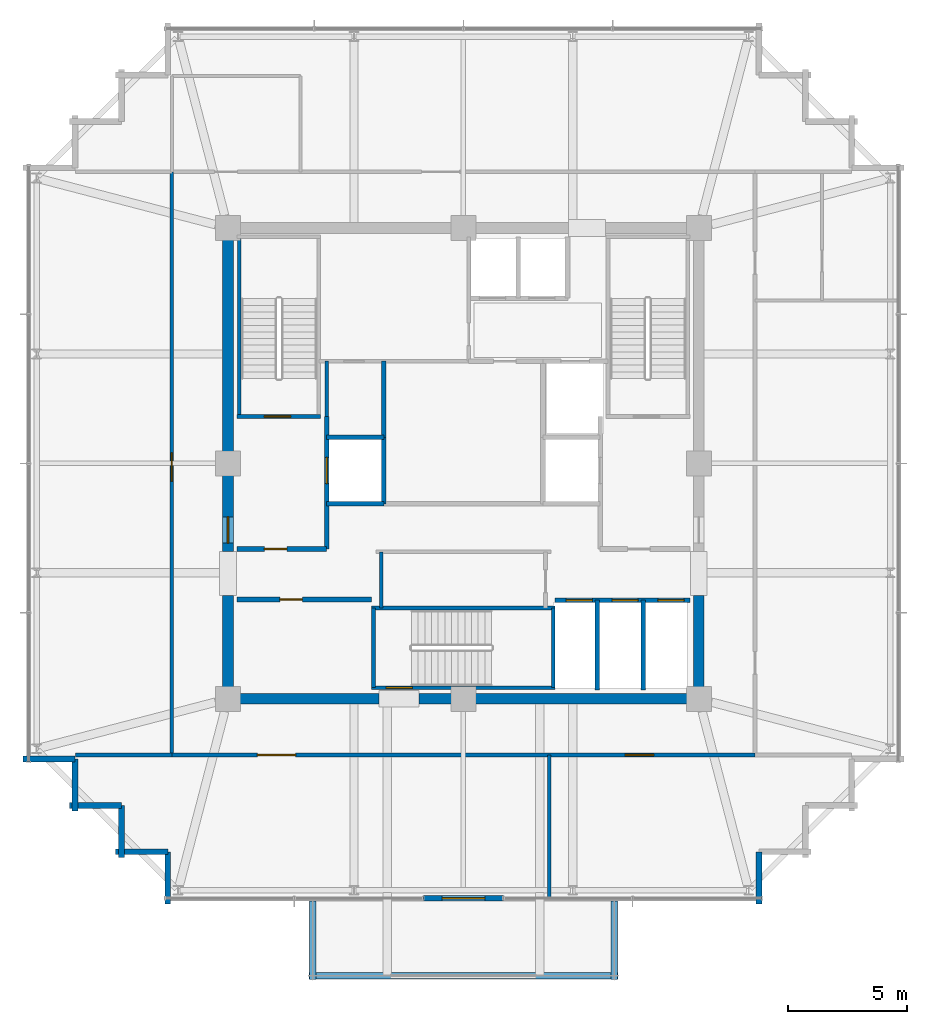
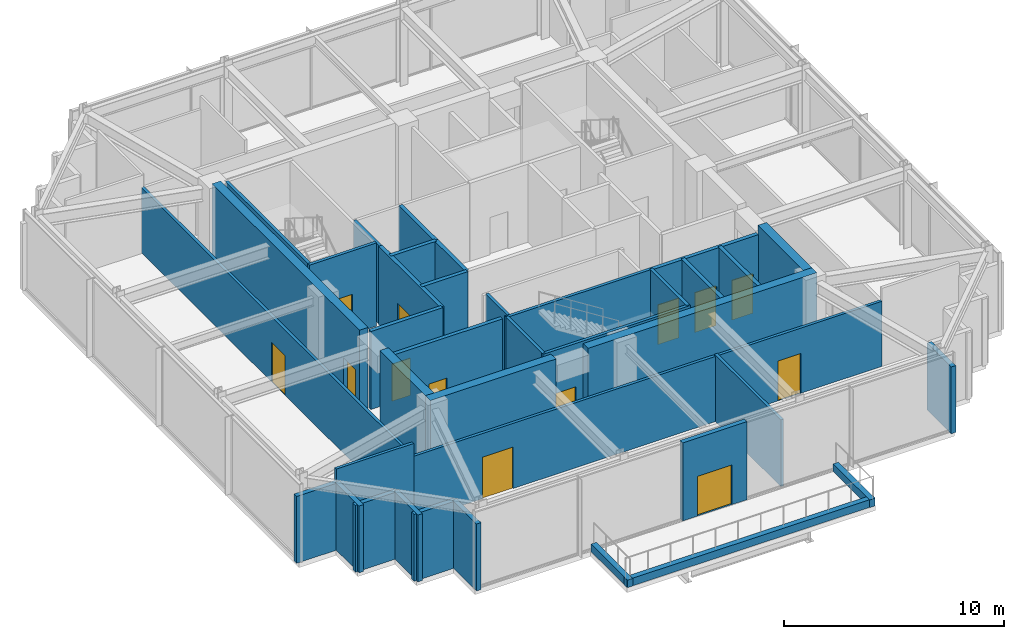
# One storey, part 27 of 30: 38 walls, 13 doors, 13 openings.
"""IFC4 building model written with IfcOpenShell, lengths in metres."""

from ifc_helpers import new_model, si_unit, direction, frame, frame_2d, origin, place, context, subcontext, project, spatial, rectangle, extrude, material, layer, layer_set, type_object, element, fill, save


model = new_model("IFC4")

# Units and contexts
model_context = context("Model", 3, precision=1e-05, world=origin(), true_north=direction((0.0, 1.0)))
body_context = subcontext(model_context, "Body", "Model", "MODEL_VIEW")
ifc_project = project(units=[si_unit("LENGTHUNIT", "METRE"), si_unit("AREAUNIT", "SQUARE_METRE"), si_unit("VOLUMEUNIT", "CUBIC_METRE"), si_unit("PLANEANGLEUNIT", "RADIAN"), si_unit("MASSUNIT", "GRAM", prefix="KILO")], contexts=[model_context])

# Site, building, storey
site_placement = place(None, origin())
site = spatial("IfcSite", under=ifc_project, at=site_placement, CompositionType="ELEMENT")
building_placement = place(site_placement, origin())
building = spatial("IfcBuilding", under=site, at=building_placement, Name="Kolvaren Belvedere", CompositionType="ELEMENT")
storey_placement = place(building_placement, frame((0.0, 0.0, 262.800048828125)))
storey = spatial("IfcBuildingStorey", under=building, at=storey_placement, Name="L76", CompositionType="ELEMENT", Elevation=262.800048828125)

# Walls
ifc_material_1 = material(Name="Concrete C50/60", Category="concrete")
ifc_layer_1 = layer(ifc_material_1, 0.449951171875)
ifc_layer_set_1 = layer_set([ifc_layer_1], Name="Concrete C50/60")
wall_type_1 = type_object("IfcWallType", Name="CW-CORE-450", PredefinedType="SHEAR", material=ifc_layer_set_1)
wall_1_placement = place(storey_placement, frame((10.125, -9.89990234375, 0.0), z_axis=(0.0, 0.0, 1.0), x_axis=(-1.0, 0.0, 0.0)))
element("IfcWall", 1, at=wall_1_placement, inside=storey, type_object=wall_type_1, Name="L76 South Core Shear Wall 1", PredefinedType="SHEAR", context=body_context, shape_type="SweptSolid", body=[
    extrude(rectangle(XDim=11.985107421875, YDim=0.449951171875, at=frame_2d((5.99267578125, 0.0))), origin(), (0.0, 0.0, 1.0), 4.599853515625),
])
wall_2_placement = place(storey_placement, frame((-3.5400390625, -9.89990234375, 0.0), z_axis=(0.0, 0.0, 1.0), x_axis=(-1.0, 0.0, 0.0)))
element("IfcWall", 2, at=wall_2_placement, inside=storey, type_object=wall_type_1, Name="L76 South Core Shear Wall 2", PredefinedType="SHEAR", context=body_context, shape_type="SweptSolid", body=[
    extrude(rectangle(XDim=6.5849609375, YDim=0.449951171875, at=frame_2d((3.29248046875, 0.0))), origin(), (0.0, 0.0, 1.0), 4.599853515625),
])
for number, where, z_axis, x_axis, name in (
    (3, (-9.89990234375, -9.675048828125, 0.0), (0.0, 0.0, 1.0), (0.0, 1.0, 0.0), "L76 West Core Shear Wall 1"),
    (4, (9.89990234375, -9.675048828125, 0.0), (0.0, 0.0, 1.0), (0.0, 1.0, 0.0), "L76 East Core Shear Wall 1"),
):
    element("IfcWall", number, at=place(storey_placement, frame(where, z_axis=z_axis, x_axis=x_axis)), inside=storey, type_object=wall_type_1, Name=name, PredefinedType="SHEAR", context=body_context, shape_type="SweptSolid", body=[
        extrude(rectangle(XDim=4.125, YDim=0.449951171875, at=frame_2d((2.0625, 0.0))), origin(), (0.0, 0.0, 1.0), 4.599853515625),
    ])

# Wall, opening, door
wall_3_placement = place(storey_placement, frame((-9.89990234375, -3.699951171875, 0.0), z_axis=(0.0, 0.0, 1.0), x_axis=(0.0, 1.0, 0.0)))
wall_3 = element("IfcWall", 5, at=wall_3_placement, inside=storey, type_object=wall_type_1, Name="L76 West Core Shear Wall 2", PredefinedType="SHEAR", context=body_context, shape_type="SweptSolid", body=[
    extrude(rectangle(XDim=13.375, YDim=0.449951171875, at=frame_2d((6.6875, 0.0))), origin(), (0.0, 0.0, 1.0), 4.599853515625),
])
opening_1_placement = place(wall_3_placement, frame((0.35009765625, 0.0, 0.0)))
opening_1 = element("IfcOpeningElement", 6, at=opening_1_placement, cuts=wall_3, Name="Opening D-FD90", PredefinedType="OPENING", context=body_context, shape_type="SweptSolid", body=[
    extrude(rectangle(XDim=1.10009765625, YDim=2.199951171875, at=frame_2d((0.550048828125, 1.10009765625))), frame((0.0, 0.23486328125, 0.0), z_axis=(0.0, -1.0, 0.0), x_axis=(1.0, 0.0, 0.0)), (0.0, 0.0, 1.0), 0.469970703125),
])
ifc_material_2 = material(Name="Painted hollow stainless steel", Category="steel")
door_type_1 = type_object("IfcDoorType", Name="DR-FD90-1100", OperationType="NOTDEFINED", PredefinedType="DOOR", material=ifc_material_2)
door_1_placement = place(opening_1_placement, origin())
door_1 = element("IfcDoor", 7, at=door_1_placement, inside=storey, type_object=door_type_1, Name="L76 West Firefighting Lobby Fire Door", OperationType="SINGLE_SWING_LEFT", OverallHeight=2.199951171875, OverallWidth=1.10009765625, PredefinedType="DOOR", context=body_context, shape_type="SweptSolid", body=[
    extrude(rectangle(XDim=1.10009765625, YDim=2.199951171875, at=frame_2d((0.550048828125, 1.10009765625))), frame((0.0, 0.02490234375, 0.0), z_axis=(0.0, -1.0, 0.0), x_axis=(1.0, 0.0, 0.0)), (0.0, 0.0, 1.0), 0.050048828125),
])
fill(opening_1, door_1)

ifc_material_3 = material(Name="Concrete C50/60", Category="concrete")
ifc_layer_2 = layer(ifc_material_3, 0.159912109375)
ifc_layer_set_2 = layer_set([ifc_layer_2], Name="Concrete C50/60")
wall_type_2 = type_object("IfcWallType", Name="CW-STAIR-160", PredefinedType="SHEAR", material=ifc_layer_set_2)
wall_4_placement = place(storey_placement, frame((-9.52001953125, 1.969970703125, 0.0), z_axis=(0.0, 0.0, 1.0), x_axis=(1.0, 0.0, 0.0)))
wall_4 = element("IfcWall", 8, at=wall_4_placement, inside=storey, type_object=wall_type_2, Name="L76 Stair ST-1 South Shear Wall", PredefinedType="SHEAR", context=body_context, shape_type="SweptSolid", body=[
    extrude(rectangle(XDim=3.52001953125, YDim=0.159912109375, at=frame_2d((1.760009765625, 0.0))), origin(), (0.0, 0.0, 1.0), 4.599853515625),
])
opening_2_placement = place(wall_4_placement, frame((1.14990234375, 0.0, 0.0)))
opening_2 = element("IfcOpeningElement", 9, at=opening_2_placement, cuts=wall_4, Name="Opening D-FD90", PredefinedType="OPENING", context=body_context, shape_type="SweptSolid", body=[
    extrude(rectangle(XDim=1.10009765625, YDim=2.199951171875, at=frame_2d((0.550048828125, 1.10009765625))), frame((0.0, 0.08984375, 0.0), z_axis=(0.0, -1.0, 0.0), x_axis=(1.0, 0.0, 0.0)), (0.0, 0.0, 1.0), 0.179931640625),
])
door_2_placement = place(opening_2_placement, origin())
door_2 = element("IfcDoor", 10, at=door_2_placement, inside=storey, type_object=door_type_1, Name="L76 Stair ST-1 Fire Door", OperationType="SINGLE_SWING_LEFT", OverallHeight=2.199951171875, OverallWidth=1.10009765625, PredefinedType="DOOR", context=body_context, shape_type="SweptSolid", body=[
    extrude(rectangle(XDim=1.10009765625, YDim=2.199951171875, at=frame_2d((0.550048828125, 1.10009765625))), frame((0.0, 0.02490234375, 0.0), z_axis=(0.0, -1.0, 0.0), x_axis=(1.0, 0.0, 0.0)), (0.0, 0.0, 1.0), 0.050048828125),
])
fill(opening_2, door_2)

# Wall
wall_5_placement = place(storey_placement, frame((-9.429931640625, 1.969970703125, 0.0), z_axis=(0.0, 0.0, 1.0), x_axis=(0.0, 1.0, 0.0)))
element("IfcWall", 11, at=wall_5_placement, inside=storey, type_object=wall_type_2, Name="L76 Stair ST-1 West Shear Wall", PredefinedType="SHEAR", context=body_context, shape_type="SweptSolid", body=[
    extrude(rectangle(XDim=7.56005859375, YDim=0.159912109375, at=frame_2d((3.780029296875, 0.0))), origin(), (0.0, 0.0, 1.0), 4.599853515625),
])

# Wall, opening, door
wall_6_placement = place(storey_placement, frame((3.860107421875, -9.429931640625, 0.0), z_axis=(0.0, 0.0, 1.0), x_axis=(-1.0, 0.0, 0.0)))
wall_6 = element("IfcWall", 12, at=wall_6_placement, inside=storey, type_object=wall_type_2, Name="L76 Stair ST-3 South Shear Wall", PredefinedType="SHEAR", context=body_context, shape_type="SweptSolid", body=[
    extrude(rectangle(XDim=7.72021484375, YDim=0.159912109375, at=frame_2d((3.860107421875, 0.0))), origin(), (0.0, 0.0, 1.0), 4.599853515625),
])
opening_3_placement = place(wall_6_placement, frame((6.010009765625, 0.0, 0.0)))
opening_3 = element("IfcOpeningElement", 13, at=opening_3_placement, cuts=wall_6, Name="Opening D-FD90", PredefinedType="OPENING", context=body_context, shape_type="SweptSolid", body=[
    extrude(rectangle(XDim=1.10009765625, YDim=2.199951171875, at=frame_2d((0.550048828125, 1.10009765625))), frame((0.0, 0.08984375, 0.0), z_axis=(0.0, -1.0, 0.0), x_axis=(1.0, 0.0, 0.0)), (0.0, 0.0, 1.0), 0.179931640625),
])
door_3_placement = place(opening_3_placement, origin())
door_3 = element("IfcDoor", 14, at=door_3_placement, inside=storey, type_object=door_type_1, Name="L76 Stair ST-3 Exit Door", OperationType="SINGLE_SWING_RIGHT", OverallHeight=2.199951171875, OverallWidth=1.10009765625, PredefinedType="DOOR", context=body_context, shape_type="SweptSolid", body=[
    extrude(rectangle(XDim=1.10009765625, YDim=2.199951171875, at=frame_2d((0.550048828125, 1.10009765625))), frame((0.0, 0.02490234375, 0.0), z_axis=(0.0, -1.0, 0.0), x_axis=(1.0, 0.0, 0.0)), (0.0, 0.0, 1.0), 0.050048828125),
])
fill(opening_3, door_3)

# Walls
wall_7_placement = place(storey_placement, frame((-3.860107421875, -6.080078125, 0.0), z_axis=(0.0, 0.0, 1.0), x_axis=(1.0, 0.0, 0.0)))
element("IfcWall", 15, at=wall_7_placement, inside=storey, type_object=wall_type_2, Name="L76 Stair ST-3 North Shear Wall", PredefinedType="SHEAR", context=body_context, shape_type="SweptSolid", body=[
    extrude(rectangle(XDim=7.72021484375, YDim=0.159912109375, at=frame_2d((3.860107421875, 0.0))), origin(), (0.0, 0.0, 1.0), 4.599853515625),
])
for number, where, z_axis, x_axis, name in (
    (16, (-3.780029296875, -9.429931640625, 0.0), (0.0, 0.0, 1.0), (0.0, 1.0, 0.0), "L76 Stair ST-3 West Shear Wall"),
    (17, (3.780029296875, -9.429931640625, 0.0), (0.0, 0.0, 1.0), (0.0, 1.0, 0.0), "L76 Stair ST-3 East Shear Wall"),
):
    element("IfcWall", number, at=place(storey_placement, frame(where, z_axis=z_axis, x_axis=x_axis)), inside=storey, type_object=wall_type_2, Name=name, PredefinedType="SHEAR", context=body_context, shape_type="SweptSolid", body=[
        extrude(rectangle(XDim=3.349853515625, YDim=0.159912109375, at=frame_2d((1.6748046875, 0.0))), origin(), (0.0, 0.0, 1.0), 4.599853515625),
    ])

# Wall, openings, doors
ifc_material_4 = material(Name="Gypsum fire-rated partition assembly", Category="gypsum")
ifc_layer_3 = layer(ifc_material_4, 0.14990234375)
ifc_layer_set_3 = layer_set([ifc_layer_3], Name="Gypsum fire-rated partition assembly")
wall_type_3 = type_object("IfcWallType", Name="WL-CORR-150", PredefinedType="PARTITIONING", material=ifc_layer_set_3)
wall_8_placement = place(storey_placement, frame((-12.260009765625, -12.260009765625, 0.0), z_axis=(0.0, 0.0, 1.0), x_axis=(1.0, 0.0, 0.0)))
wall_8 = element("IfcWall", 18, at=wall_8_placement, inside=storey, type_object=wall_type_3, Name="L76 South Corridor Wall", PredefinedType="PARTITIONING", context=body_context, shape_type="SweptSolid", body=[
    extrude(rectangle(XDim=24.52001953125, YDim=0.14990234375, at=frame_2d((12.260009765625, 0.0))), origin(), (0.0, 0.0, 1.0), 3.60888671875),
])
opening_4_placement = place(wall_8_placement, frame((3.60009765625, 0.0, 0.0)))
opening_4 = element("IfcOpeningElement", 19, at=opening_4_placement, cuts=wall_8, Name="Opening D-GL16", PredefinedType="OPENING", context=body_context, shape_type="SweptSolid", body=[
    extrude(rectangle(XDim=1.60009765625, YDim=2.300048828125, at=frame_2d((0.800048828125, 1.14990234375))), frame((0.0, 0.0849609375, 0.0), z_axis=(0.0, -1.0, 0.0), x_axis=(1.0, 0.0, 0.0)), (0.0, 0.0, 1.0), 0.169921875),
])
opening_5_placement = place(wall_8_placement, frame((19.06005859375, 0.0, 0.0)))
opening_5 = element("IfcOpeningElement", 20, at=opening_5_placement, cuts=wall_8, Name="Opening D-GL12", PredefinedType="OPENING", context=body_context, shape_type="SweptSolid", body=[
    extrude(rectangle(XDim=1.199951171875, YDim=2.199951171875, at=frame_2d((0.60009765625, 1.10009765625))), frame((0.0, 0.0849609375, 0.0), z_axis=(0.0, -1.0, 0.0), x_axis=(1.0, 0.0, 0.0)), (0.0, 0.0, 1.0), 0.169921875),
])
ifc_material_5 = material(Name="Anodised pale-metal aluminium & safety glass", Category="aluminium")
door_type_2 = type_object("IfcDoorType", Name="DR-GLAZ-1200", OperationType="DOUBLE_DOOR_SINGLE_SWING", PredefinedType="DOOR", material=ifc_material_5)
door_4_placement = place(opening_5_placement, origin())
door_4 = element("IfcDoor", 21, at=door_4_placement, inside=storey, type_object=door_type_2, Name="L76 Chef's Exhibition Finishing Kitchen Door", OperationType="DOUBLE_DOOR_SINGLE_SWING", OverallHeight=2.199951171875, OverallWidth=1.199951171875, PredefinedType="DOOR", context=body_context, shape_type="SweptSolid", body=[
    extrude(rectangle(XDim=1.199951171875, YDim=2.199951171875, at=frame_2d((0.60009765625, 1.10009765625))), frame((0.0, 0.02490234375, 0.0), z_axis=(0.0, -1.0, 0.0), x_axis=(1.0, 0.0, 0.0)), (0.0, 0.0, 1.0), 0.050048828125),
])
fill(opening_5, door_4)
ifc_material_6 = material(Name="Anodised pale-metal aluminium & safety glass", Category="aluminium")
door_type_3 = type_object("IfcDoorType", Name="DR-GLAZ-1600", OperationType="DOUBLE_DOOR_SINGLE_SWING", PredefinedType="DOOR", material=ifc_material_6)
door_5_placement = place(opening_4_placement, origin())
door_5 = element("IfcDoor", 22, at=door_5_placement, inside=storey, type_object=door_type_3, Name="L76 360-Degree Signature Sky Restaurant Door", OperationType="DOUBLE_DOOR_SINGLE_SWING", OverallHeight=2.300048828125, OverallWidth=1.60009765625, PredefinedType="DOOR", context=body_context, shape_type="SweptSolid", body=[
    extrude(rectangle(XDim=1.60009765625, YDim=2.300048828125, at=frame_2d((0.800048828125, 1.14990234375))), frame((0.0, 0.02490234375, 0.0), z_axis=(0.0, -1.0, 0.0), x_axis=(1.0, 0.0, 0.0)), (0.0, 0.0, 1.0), 0.050048828125),
])
fill(opening_4, door_5)

# Wall, opening, door
wall_9_placement = place(storey_placement, frame((-12.260009765625, -12.260009765625, 0.0), z_axis=(0.0, 0.0, 1.0), x_axis=(0.0, 1.0, 0.0)))
wall_9 = element("IfcWall", 23, at=wall_9_placement, inside=storey, type_object=wall_type_3, Name="L76 West Corridor Wall", PredefinedType="PARTITIONING", context=body_context, shape_type="SweptSolid", body=[
    extrude(rectangle(XDim=24.52001953125, YDim=0.14990234375, at=frame_2d((12.260009765625, 0.0))), origin(), (0.0, 0.0, 1.0), 3.60888671875),
])
opening_6_placement = place(wall_9_placement, frame((11.5, 0.0, 0.0)))
opening_6 = element("IfcOpeningElement", 24, at=opening_6_placement, cuts=wall_9, Name="Opening D-GL12", PredefinedType="OPENING", context=body_context, shape_type="SweptSolid", body=[
    extrude(rectangle(XDim=1.199951171875, YDim=2.199951171875, at=frame_2d((0.60009765625, 1.10009765625))), frame((0.0, 0.0849609375, 0.0), z_axis=(0.0, -1.0, 0.0), x_axis=(1.0, 0.0, 0.0)), (0.0, 0.0, 1.0), 0.169921875),
])
door_6_placement = place(opening_6_placement, origin())
door_6 = element("IfcDoor", 25, at=door_6_placement, inside=storey, type_object=door_type_2, Name="L76 Private Panorama Dining Room Door", OperationType="DOUBLE_DOOR_SINGLE_SWING", OverallHeight=2.199951171875, OverallWidth=1.199951171875, PredefinedType="DOOR", context=body_context, shape_type="SweptSolid", body=[
    extrude(rectangle(XDim=1.199951171875, YDim=2.199951171875, at=frame_2d((0.60009765625, 1.10009765625))), frame((0.0, 0.02490234375, 0.0), z_axis=(0.0, -1.0, 0.0), x_axis=(1.0, 0.0, 0.0)), (0.0, 0.0, 1.0), 0.050048828125),
])
fill(opening_6, door_6)

# Wall
wall_10_placement = place(storey_placement, frame((-16.320068359375, -12.260009765625, 0.0), z_axis=(0.0, 0.0, 1.0), x_axis=(1.0, 0.0, 0.0)))
element("IfcWall", 26, at=wall_10_placement, inside=storey, type_object=wall_type_3, Name="L76 Sector Wall PW-L76-QSW", PredefinedType="PARTITIONING", context=body_context, shape_type="SweptSolid", body=[
    extrude(rectangle(XDim=4.06005859375, YDim=0.14990234375, at=frame_2d((2.030029296875, 0.0))), origin(), (0.0, 0.0, 1.0), 4.320068359375),
])

# Wall, opening, door
ifc_material_7 = material(Name="Insulated pale-metal facade wall assembly", Category="aluminium")
ifc_layer_4 = layer(ifc_material_7, 0.239990234375)
ifc_layer_set_4 = layer_set([ifc_layer_4], Name="Insulated pale-metal facade wall assembly")
wall_type_4 = type_object("IfcWallType", Name="WL-EXT-240", PredefinedType="STANDARD", material=ifc_layer_set_4)
wall_11_placement = place(storey_placement, frame((1.679931640625, -18.280029296875, 0.0), z_axis=(0.0, 0.0, 1.0), x_axis=(-1.0, 0.0, 0.0)))
wall_11 = element("IfcWall", 27, at=wall_11_placement, inside=storey, type_object=wall_type_4, Name="L76 South Terrace Portal Wall", PredefinedType="STANDARD", context=body_context, shape_type="SweptSolid", body=[
    extrude(rectangle(XDim=3.35986328125, YDim=0.239990234375, at=frame_2d((1.679931640625, 0.0))), origin(), (0.0, 0.0, 1.0), 4.320068359375),
])
opening_7_placement = place(wall_11_placement, frame((0.780029296875, 0.0, 0.0)))
opening_7 = element("IfcOpeningElement", 28, at=opening_7_placement, cuts=wall_11, Name="Opening DB-1800", PredefinedType="OPENING", context=body_context, shape_type="SweptSolid", body=[
    extrude(rectangle(XDim=1.800048828125, YDim=2.199951171875, at=frame_2d((0.89990234375, 1.10009765625))), frame((0.0, 0.1298828125, 0.0), z_axis=(0.0, -1.0, 0.0), x_axis=(1.0, 0.0, 0.0)), (0.0, 0.0, 1.0), 0.260009765625),
])
ifc_material_8 = material(Name="Thermally broken pale-metal aluminium & low-iron glass", Category="aluminium")
door_type_4 = type_object("IfcDoorType", Name="DR-BAL-1800", OperationType="DOUBLE_DOOR_SLIDING", PredefinedType="DOOR", material=ifc_material_8)
door_7_placement = place(opening_7_placement, origin())
door_7 = element("IfcDoor", 29, at=door_7_placement, inside=storey, type_object=door_type_4, Name="L76 South Planted Terrace Sliding Door", OperationType="DOUBLE_DOOR_SLIDING", OverallHeight=2.199951171875, OverallWidth=1.800048828125, PredefinedType="DOOR", context=body_context, shape_type="SweptSolid", body=[
    extrude(rectangle(XDim=1.800048828125, YDim=2.199951171875, at=frame_2d((0.89990234375, 1.10009765625))), frame((0.0, 0.02490234375, 0.0), z_axis=(0.0, -1.0, 0.0), x_axis=(1.0, 0.0, 0.0)), (0.0, 0.0, 1.0), 0.050048828125),
])
fill(opening_7, door_7)

# Walls
for number, where, z_axis, x_axis, name in (
    (30, (12.429931640625, -16.330078125, 0.0), (0.0, 0.0, 1.0), (0.0, -1.0, 0.0), "L76 Serrated Corner Facade Wall 2"),
    (31, (-16.330078125, -12.429931640625, 0.0), (0.0, 0.0, 1.0), (-1.0, 0.0, 0.0), "L76 Serrated Corner Facade Wall 23"),
):
    element("IfcWall", number, at=place(storey_placement, frame(where, z_axis=z_axis, x_axis=x_axis)), inside=storey, type_object=wall_type_4, Name=name, PredefinedType="STANDARD", context=body_context, shape_type="SweptSolid", body=[
        extrude(rectangle(XDim=2.18994140625, YDim=0.239990234375, at=frame_2d((1.094970703125, 0.0))), origin(), (0.0, 0.0, 1.0), 3.702880859375),
    ])
for number, where, z_axis, x_axis, name in (
    (32, (-16.330078125, -14.6201171875, 0.0), (0.0, 0.0, 1.0), (0.0, 1.0, 0.0), "L76 Serrated Corner Facade Wall 24"),
    (33, (-14.3798828125, -14.3798828125, 0.0), (0.0, 0.0, 1.0), (-1.0, 0.0, 0.0), "L76 Serrated Corner Facade Wall 25"),
    (34, (-14.3798828125, -16.570068359375, 0.0), (0.0, 0.0, 1.0), (0.0, 1.0, 0.0), "L76 Serrated Corner Facade Wall 26"),
    (35, (-12.429931640625, -16.330078125, 0.0), (0.0, 0.0, 1.0), (-1.0, 0.0, 0.0), "L76 Serrated Corner Facade Wall 27"),
):
    element("IfcWall", number, at=place(storey_placement, frame(where, z_axis=z_axis, x_axis=x_axis)), inside=storey, type_object=wall_type_4, Name=name, PredefinedType="STANDARD", context=body_context, shape_type="SweptSolid", body=[
        extrude(rectangle(XDim=2.190185546875, YDim=0.239990234375, at=frame_2d((1.09521484375, 0.0))), origin(), (0.0, 0.0, 1.0), 3.702880859375),
    ])
wall_12_placement = place(storey_placement, frame((-12.429931640625, -18.52001953125, 0.0), z_axis=(0.0, 0.0, 1.0), x_axis=(0.0, 1.0, 0.0)))
element("IfcWall", 36, at=wall_12_placement, inside=storey, type_object=wall_type_4, Name="L76 Serrated Corner Facade Wall 28", PredefinedType="STANDARD", context=body_context, shape_type="SweptSolid", body=[
    extrude(rectangle(XDim=2.18994140625, YDim=0.239990234375, at=frame_2d((1.094970703125, 0.0))), origin(), (0.0, 0.0, 1.0), 3.702880859375),
])
ifc_material_9 = material(Name="Gypsum acoustic partition assembly", Category="gypsum")
ifc_layer_5 = layer(ifc_material_9, 0.14990234375)
ifc_layer_set_5 = layer_set([ifc_layer_5], Name="Gypsum acoustic partition assembly")
wall_type_5 = type_object("IfcWallType", Name="WL-PART-150", PredefinedType="PARTITIONING", material=ifc_layer_set_5)
wall_13_placement = place(storey_placement, frame((-3.449951171875, -6.080078125, 0.0), z_axis=(0.0, 0.0, 1.0), x_axis=(0.0, 1.0, 0.0)))
element("IfcWall", 37, at=wall_13_placement, inside=storey, type_object=wall_type_5, Name="L76 South Core Service West Wall", PredefinedType="PARTITIONING", context=body_context, shape_type="SweptSolid", body=[
    extrude(rectangle(XDim=2.360107421875, YDim=0.14990234375, at=frame_2d((1.18017578125, 0.0))), origin(), (0.0, 0.0, 1.0), 4.320068359375),
])
wall_14_placement = place(storey_placement, frame((-5.75, 1.969970703125, 0.0), z_axis=(0.0, 0.0, 1.0), x_axis=(0.0, 1.0, 0.0)))
element("IfcWall", 38, at=wall_14_placement, inside=storey, type_object=wall_type_5, Name="L76 NW Service Room West Wall", PredefinedType="PARTITIONING", context=body_context, shape_type="SweptSolid", body=[
    extrude(rectangle(XDim=2.330078125, YDim=0.14990234375, at=frame_2d((1.1650390625, 0.0))), origin(), (0.0, 0.0, 1.0), 4.320068359375),
])
wall_15_placement = place(storey_placement, frame((3.60009765625, -18.280029296875, 0.0), z_axis=(0.0, 0.0, 1.0), x_axis=(0.0, 1.0, 0.0)))
element("IfcWall", 39, at=wall_15_placement, inside=storey, type_object=wall_type_5, Name="L76 South Salon Divider", PredefinedType="PARTITIONING", context=body_context, shape_type="SweptSolid", body=[
    extrude(rectangle(XDim=6.02001953125, YDim=0.14990234375, at=frame_2d((3.010009765625, 0.0))), origin(), (0.0, 0.0, 1.0), 3.69287109375),
])
ifc_material_10 = material(Name="Precast concrete C40/50", Category="concrete")
ifc_layer_6 = layer(ifc_material_10, 0.300048828125)
ifc_layer_set_6 = layer_set([ifc_layer_6], Name="Precast concrete C40/50")
wall_type_6 = type_object("IfcWallType", Name="WL-PLANTER-300", PredefinedType="PARAPET", material=ifc_layer_set_6)
wall_16_placement = place(storey_placement, frame((-6.5, -21.5400390625, -0.02001953125), z_axis=(0.0, 0.0, 1.0), x_axis=(1.0, 0.0, 0.0)))
element("IfcWall", 40, at=wall_16_placement, inside=storey, type_object=wall_type_6, Name="L76 Precast Structural Planter Wall SKYBAR-S-1", PredefinedType="PARAPET", context=body_context, shape_type="SweptSolid", body=[
    extrude(rectangle(XDim=13.0, YDim=0.280029296875, at=frame_2d((6.5, 0.0))), origin(), (0.0, 0.0, 1.0), 0.419921875),
])
for number, where, z_axis, x_axis, name in (
    (41, (6.340087890625, -21.699951171875, -0.02001953125), (0.0, 0.0, 1.0), (0.0, 1.0, 0.0), "L76 Precast Structural Planter Wall SKYBAR-S-2"),
    (42, (-6.340087890625, -18.39990234375, -0.02001953125), (0.0, 0.0, 1.0), (0.0, -1.0, 0.0), "L76 Precast Structural Planter Wall SKYBAR-S-4"),
):
    element("IfcWall", number, at=place(storey_placement, frame(where, z_axis=z_axis, x_axis=x_axis)), inside=storey, type_object=wall_type_6, Name=name, PredefinedType="PARAPET", context=body_context, shape_type="SweptSolid", body=[
        extrude(rectangle(XDim=3.300048828125, YDim=0.280029296875, at=frame_2d((1.64990234375, 0.0))), origin(), (0.0, 0.0, 1.0), 0.419921875),
    ])

# Wall, opening, door
ifc_material_11 = material(Name="Concrete C50/60", Category="concrete")
ifc_layer_7 = layer(ifc_material_11, 0.199951171875)
ifc_layer_set_7 = layer_set([ifc_layer_7], Name="Concrete C50/60")
wall_type_7 = type_object("IfcWallType", Name="WL-SHAFT-200", PredefinedType="SOLIDWALL", material=ifc_layer_set_7)
wall_17_placement = place(storey_placement, frame((-9.52001953125, -3.60009765625, 0.0), z_axis=(0.0, 0.0, 1.0), x_axis=(1.0, 0.0, 0.0)))
wall_17 = element("IfcWall", 43, at=wall_17_placement, inside=storey, type_object=wall_type_7, Name="L76 West FSAE Lobby South Wall", PredefinedType="SOLIDWALL", context=body_context, shape_type="SweptSolid", body=[
    extrude(rectangle(XDim=3.77001953125, YDim=0.199951171875, at=frame_2d((1.885009765625, 0.0))), origin(), (0.0, 0.0, 1.0), 4.320068359375),
])
opening_8_placement = place(wall_17_placement, frame((1.14990234375, 0.0, 0.0)))
opening_8 = element("IfcOpeningElement", 44, at=opening_8_placement, cuts=wall_17, Name="Opening D-FD60", PredefinedType="OPENING", context=body_context, shape_type="SweptSolid", body=[
    extrude(rectangle(XDim=0.949951171875, YDim=2.06005859375, at=frame_2d((0.47509765625, 1.030029296875))), frame((0.0, 0.10986328125, 0.0), z_axis=(0.0, -1.0, 0.0), x_axis=(1.0, 0.0, 0.0)), (0.0, 0.0, 1.0), 0.219970703125),
])
ifc_material_12 = material(Name="Acoustic white-oak fire door leaf", Category="timber")
door_type_5 = type_object("IfcDoorType", Name="DR-FD60-950", OperationType="NOTDEFINED", PredefinedType="DOOR", material=ifc_material_12)
door_8_placement = place(opening_8_placement, origin())
door_8 = element("IfcDoor", 45, at=door_8_placement, inside=storey, type_object=door_type_5, Name="L76 SW Lobby Fire Door", OperationType="SINGLE_SWING_LEFT", OverallHeight=2.06005859375, OverallWidth=0.949951171875, PredefinedType="DOOR", context=body_context, shape_type="SweptSolid", body=[
    extrude(rectangle(XDim=0.949951171875, YDim=2.06005859375, at=frame_2d((0.47509765625, 1.030029296875))), frame((0.0, 0.02490234375, 0.0), z_axis=(0.0, -1.0, 0.0), x_axis=(1.0, 0.0, 0.0)), (0.0, 0.0, 1.0), 0.050048828125),
])
fill(opening_8, door_8)

wall_18_placement = place(storey_placement, frame((-5.75, -3.60009765625, 0.0), z_axis=(0.0, 0.0, 1.0), x_axis=(0.0, 1.0, 0.0)))
wall_18 = element("IfcWall", 46, at=wall_18_placement, inside=storey, type_object=wall_type_7, Name="L76 FSAE FS1 Landing Wall", PredefinedType="SOLIDWALL", context=body_context, shape_type="SweptSolid", body=[
    extrude(rectangle(XDim=5.570068359375, YDim=0.199951171875, at=frame_2d((2.78515625, 0.0))), origin(), (0.0, 0.0, 1.0), 4.320068359375),
])
opening_9_placement = place(wall_18_placement, frame((2.75, 0.0, 0.0)))
opening_9 = element("IfcOpeningElement", 47, at=opening_9_placement, cuts=wall_18, Name="Opening LD-11", PredefinedType="OPENING", context=body_context, shape_type="SweptSolid", body=[
    extrude(rectangle(XDim=1.10009765625, YDim=2.199951171875, at=frame_2d((0.550048828125, 1.10009765625))), frame((0.0, 0.10986328125, 0.0), z_axis=(0.0, -1.0, 0.0), x_axis=(1.0, 0.0, 0.0)), (0.0, 0.0, 1.0), 0.219970703125),
])
ifc_material_13 = material(Name="Brushed stainless steel", Category="steel")
door_type_6 = type_object("IfcDoorType", Name="DR-LIFT-1100", OperationType="DOUBLE_DOOR_SLIDING", PredefinedType="DOOR", material=ifc_material_13)
door_9_placement = place(opening_9_placement, origin())
door_9 = element("IfcDoor", 48, at=door_9_placement, inside=storey, type_object=door_type_6, Name="L76 Firefighting Lift FS1 Landing Door", OperationType="DOUBLE_DOOR_SLIDING", OverallHeight=2.199951171875, OverallWidth=1.10009765625, PredefinedType="DOOR", context=body_context, shape_type="SweptSolid", body=[
    extrude(rectangle(XDim=1.10009765625, YDim=2.199951171875, at=frame_2d((0.550048828125, 1.10009765625))), frame((0.0, 0.02490234375, 0.0), z_axis=(0.0, -1.0, 0.0), x_axis=(1.0, 0.0, 0.0)), (0.0, 0.0, 1.0), 0.050048828125),
])
fill(opening_9, door_9)

# Walls
wall_19_placement = place(storey_placement, frame((-3.35009765625, -1.699951171875, 0.0), z_axis=(0.0, 0.0, 1.0), x_axis=(0.0, 1.0, 0.0)))
element("IfcWall", 49, at=wall_19_placement, inside=storey, type_object=wall_type_7, Name="L76 FSAE FS1 Back Wall", PredefinedType="SOLIDWALL", context=body_context, shape_type="SweptSolid", body=[
    extrude(rectangle(XDim=2.800048828125, YDim=0.199951171875, at=frame_2d((1.39990234375, 0.0))), origin(), (0.0, 0.0, 1.0), 4.320068359375),
])
for number, where, z_axis, x_axis, name in (
    (50, (-5.75, -1.699951171875, 0.0), (0.0, 0.0, 1.0), (1.0, 0.0, 0.0), "L76 FSAE FS1 South Wall"),
    (51, (-5.75, 1.10009765625, 0.0), (0.0, 0.0, 1.0), (1.0, 0.0, 0.0), "L76 FSAE FS1 North Wall"),
):
    element("IfcWall", number, at=place(storey_placement, frame(where, z_axis=z_axis, x_axis=x_axis)), inside=storey, type_object=wall_type_7, Name=name, PredefinedType="SOLIDWALL", context=body_context, shape_type="SweptSolid", body=[
        extrude(rectangle(XDim=2.39990234375, YDim=0.199951171875, at=frame_2d((1.199951171875, 0.0))), origin(), (0.0, 0.0, 1.0), 4.320068359375),
    ])

# Wall, opening, door
wall_20_placement = place(storey_placement, frame((-9.52001953125, -5.719970703125, 0.0), z_axis=(0.0, 0.0, 1.0), x_axis=(1.0, 0.0, 0.0)))
wall_20 = element("IfcWall", 52, at=wall_20_placement, inside=storey, type_object=wall_type_7, Name="L76 Reclaimed Mid Room North Wall", PredefinedType="SOLIDWALL", context=body_context, shape_type="SweptSolid", body=[
    extrude(rectangle(XDim=5.659912109375, YDim=0.199951171875, at=frame_2d((2.830078125, 0.0))), origin(), (0.0, 0.0, 1.0), 4.320068359375),
])
opening_10_placement = place(wall_20_placement, frame((1.800048828125, 0.0, 0.0)))
opening_10 = element("IfcOpeningElement", 53, at=opening_10_placement, cuts=wall_20, Name="Opening D-FD60", PredefinedType="OPENING", context=body_context, shape_type="SweptSolid", body=[
    extrude(rectangle(XDim=0.949951171875, YDim=2.06005859375, at=frame_2d((0.47509765625, 1.030029296875))), frame((0.0, 0.10986328125, 0.0), z_axis=(0.0, -1.0, 0.0), x_axis=(1.0, 0.0, 0.0)), (0.0, 0.0, 1.0), 0.219970703125),
])
door_10_placement = place(opening_10_placement, origin())
door_10 = element("IfcDoor", 54, at=door_10_placement, inside=storey, type_object=door_type_5, Name="L76 Sky Sommelier & Tasting Room Entry Door", OperationType="SINGLE_SWING_LEFT", OverallHeight=2.06005859375, OverallWidth=0.949951171875, PredefinedType="DOOR", context=body_context, shape_type="SweptSolid", body=[
    extrude(rectangle(XDim=0.949951171875, YDim=2.06005859375, at=frame_2d((0.47509765625, 1.030029296875))), frame((0.0, 0.02490234375, 0.0), z_axis=(0.0, -1.0, 0.0), x_axis=(1.0, 0.0, 0.0)), (0.0, 0.0, 1.0), 0.050048828125),
])
fill(opening_10, door_10)

# Wall, openings, doors
wall_21_placement = place(storey_placement, frame((3.860107421875, -5.75, 0.0), z_axis=(0.0, 0.0, 1.0), x_axis=(1.0, 0.0, 0.0)))
wall_21 = element("IfcWall", 55, at=wall_21_placement, inside=storey, type_object=wall_type_7, Name="L76 High-Rise Lift Bank Front Wall", PredefinedType="SOLIDWALL", context=body_context, shape_type="SweptSolid", body=[
    extrude(rectangle(XDim=5.659912109375, YDim=0.199951171875, at=frame_2d((2.830078125, 0.0))), origin(), (0.0, 0.0, 1.0), 4.320068359375),
])
opening_11_placement = place(wall_21_placement, frame((0.4599609375, 0.0, 0.0)))
opening_11 = element("IfcOpeningElement", 56, at=opening_11_placement, cuts=wall_21, Name="Opening LD-11", PredefinedType="OPENING", context=body_context, shape_type="SweptSolid", body=[
    extrude(rectangle(XDim=1.10009765625, YDim=2.199951171875, at=frame_2d((0.550048828125, 1.10009765625))), frame((0.0, 0.10986328125, 0.0), z_axis=(0.0, -1.0, 0.0), x_axis=(1.0, 0.0, 0.0)), (0.0, 0.0, 1.0), 0.219970703125),
])
opening_12_placement = place(wall_21_placement, frame((2.389892578125, 0.0, 0.0)))
opening_12 = element("IfcOpeningElement", 57, at=opening_12_placement, cuts=wall_21, Name="Opening LD-11", PredefinedType="OPENING", context=body_context, shape_type="SweptSolid", body=[
    extrude(rectangle(XDim=1.10009765625, YDim=2.199951171875, at=frame_2d((0.550048828125, 1.10009765625))), frame((0.0, 0.10986328125, 0.0), z_axis=(0.0, -1.0, 0.0), x_axis=(1.0, 0.0, 0.0)), (0.0, 0.0, 1.0), 0.219970703125),
])
opening_13_placement = place(wall_21_placement, frame((4.320068359375, 0.0, 0.0)))
opening_13 = element("IfcOpeningElement", 58, at=opening_13_placement, cuts=wall_21, Name="Opening LD-11", PredefinedType="OPENING", context=body_context, shape_type="SweptSolid", body=[
    extrude(rectangle(XDim=1.10009765625, YDim=2.199951171875, at=frame_2d((0.550048828125, 1.10009765625))), frame((0.0, 0.10986328125, 0.0), z_axis=(0.0, -1.0, 0.0), x_axis=(1.0, 0.0, 0.0)), (0.0, 0.0, 1.0), 0.219970703125),
])
door_11_placement = place(opening_11_placement, origin())
door_11 = element("IfcDoor", 59, at=door_11_placement, inside=storey, type_object=door_type_6, Name="L76 Passenger Lift P7 Landing Door", OperationType="DOUBLE_DOOR_SLIDING", OverallHeight=2.199951171875, OverallWidth=1.10009765625, PredefinedType="DOOR", context=body_context, shape_type="SweptSolid", body=[
    extrude(rectangle(XDim=1.10009765625, YDim=2.199951171875, at=frame_2d((0.550048828125, 1.10009765625))), frame((0.0, 0.02490234375, 0.0), z_axis=(0.0, -1.0, 0.0), x_axis=(1.0, 0.0, 0.0)), (0.0, 0.0, 1.0), 0.050048828125),
])
fill(opening_11, door_11)
door_12_placement = place(opening_12_placement, origin())
door_12 = element("IfcDoor", 60, at=door_12_placement, inside=storey, type_object=door_type_6, Name="L76 Passenger Lift P8 Landing Door", OperationType="DOUBLE_DOOR_SLIDING", OverallHeight=2.199951171875, OverallWidth=1.10009765625, PredefinedType="DOOR", context=body_context, shape_type="SweptSolid", body=[
    extrude(rectangle(XDim=1.10009765625, YDim=2.199951171875, at=frame_2d((0.550048828125, 1.10009765625))), frame((0.0, 0.02490234375, 0.0), z_axis=(0.0, -1.0, 0.0), x_axis=(1.0, 0.0, 0.0)), (0.0, 0.0, 1.0), 0.050048828125),
])
fill(opening_12, door_12)
door_13_placement = place(opening_13_placement, origin())
door_13 = element("IfcDoor", 61, at=door_13_placement, inside=storey, type_object=door_type_6, Name="L76 Passenger Lift P9 Landing Door", OperationType="DOUBLE_DOOR_SLIDING", OverallHeight=2.199951171875, OverallWidth=1.10009765625, PredefinedType="DOOR", context=body_context, shape_type="SweptSolid", body=[
    extrude(rectangle(XDim=1.10009765625, YDim=2.199951171875, at=frame_2d((0.550048828125, 1.10009765625))), frame((0.0, 0.02490234375, 0.0), z_axis=(0.0, -1.0, 0.0), x_axis=(1.0, 0.0, 0.0)), (0.0, 0.0, 1.0), 0.050048828125),
])
fill(opening_13, door_13)

# Walls
for number, where, z_axis, x_axis, name in (
    (62, (5.6298828125, -9.52001953125, 0.0), (0.0, 0.0, 1.0), (0.0, 1.0, 0.0), "L76 High-Rise Hoistway Divider 1"),
    (63, (7.56005859375, -9.52001953125, 0.0), (0.0, 0.0, 1.0), (0.0, 1.0, 0.0), "L76 High-Rise Hoistway Divider 2"),
):
    element("IfcWall", number, at=place(storey_placement, frame(where, z_axis=z_axis, x_axis=x_axis)), inside=storey, type_object=wall_type_7, Name=name, PredefinedType="SOLIDWALL", context=body_context, shape_type="SweptSolid", body=[
        extrude(rectangle(XDim=3.77001953125, YDim=0.199951171875, at=frame_2d((1.885009765625, 0.0))), origin(), (0.0, 0.0, 1.0), 4.320068359375),
    ])
wall_22_placement = place(storey_placement, frame((-3.35009765625, 1.10009765625, 0.0), z_axis=(0.0, 0.0, 1.0), x_axis=(0.0, 1.0, 0.0)))
element("IfcWall", 64, at=wall_22_placement, inside=storey, type_object=wall_type_7, Name="L76 Central Core Room West Wall", PredefinedType="SOLIDWALL", context=body_context, shape_type="SweptSolid", body=[
    extrude(rectangle(XDim=3.199951171875, YDim=0.199951171875, at=frame_2d((1.60009765625, 0.0))), origin(), (0.0, 0.0, 1.0), 4.320068359375),
])

save(model, "model.ifc")
